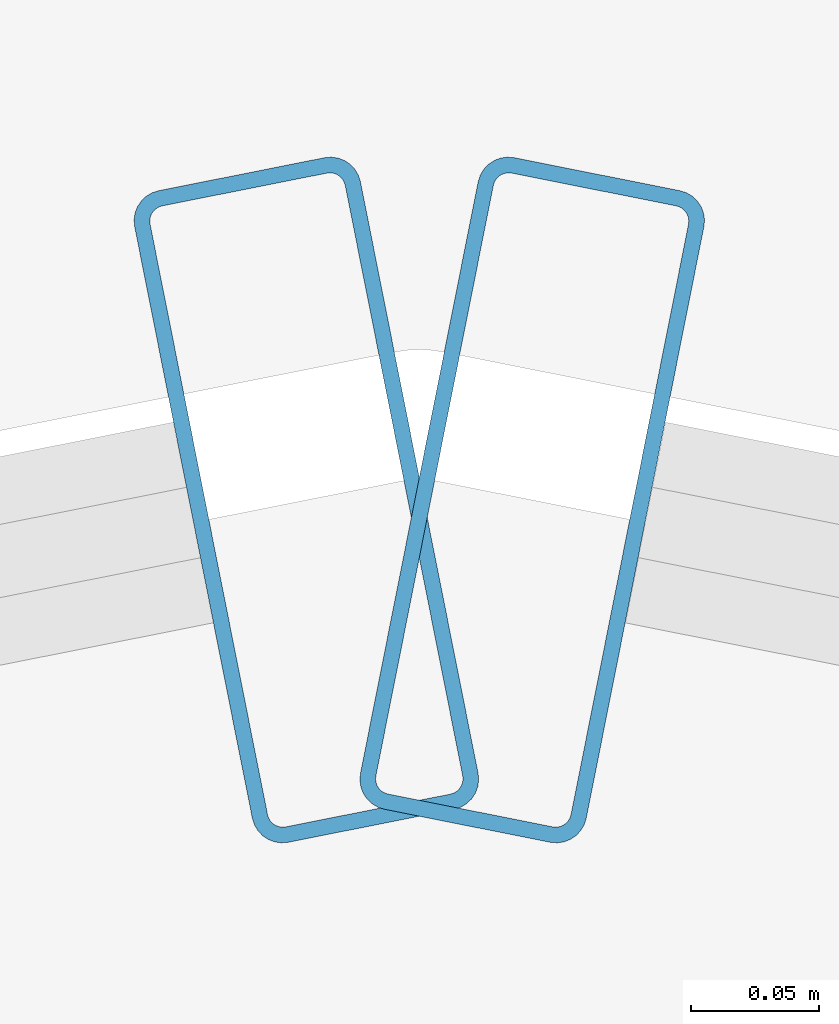
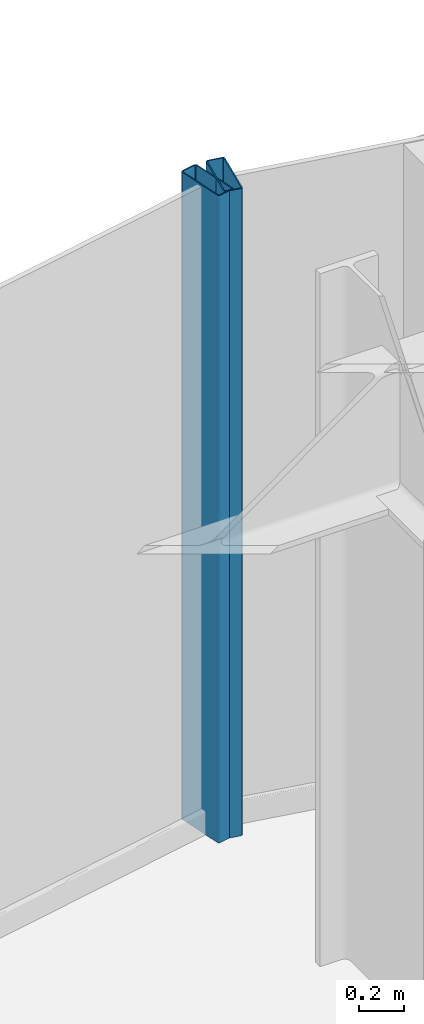
# One storey, part 16 of 30: 2 members, 2 elements without a shape of their own.
"""IFC4 building model written with IfcOpenShell, lengths in metres."""

from ifc_helpers import new_model, si_unit, direction, frame, origin, origin_2d, place, context, subcontext, project, spatial, hollow_rectangle, extrude, source, transform, mapped, material, layer, layer_set, material_profile, profile_set, type_object, element, aggregate, save


model = new_model("IFC4")

# Units and contexts
model_context = context("Model", 3, precision=1e-05, world=origin(), true_north=direction((0.0, 1.0)))
body_context = subcontext(model_context, "Body", "Model", "MODEL_VIEW")
ifc_project = project(units=[si_unit("LENGTHUNIT", "METRE"), si_unit("AREAUNIT", "SQUARE_METRE"), si_unit("VOLUMEUNIT", "CUBIC_METRE"), si_unit("PLANEANGLEUNIT", "RADIAN"), si_unit("MASSUNIT", "GRAM", prefix="KILO")], contexts=[model_context])

# Site, building, storey
site_placement = place(None, origin())
site = spatial("IfcSite", under=ifc_project, at=site_placement, CompositionType="ELEMENT")
building_placement = place(site_placement, origin())
building = spatial("IfcBuilding", under=site, at=building_placement, Name="Nefas-Gora Pilgrimage Tower", CompositionType="ELEMENT")
storey_placement = place(building_placement, frame((0.0, 0.0, 33.0)))
storey = spatial("IfcBuildingStorey", under=building, at=storey_placement, Name="L06", CompositionType="ELEMENT", Elevation=33.0)

# Curtain wall, member
ifc_material_1 = material(Name="Dark ceramic-fritted solar-control aluminium-glass curtain wall", Category="aluminium")
ifc_layer = layer(ifc_material_1, 0.219970703125)
ifc_layer_set = layer_set([ifc_layer], Name="Dark ceramic-fritted solar-control aluminium-glass curtain wall")
curtain_wall_type = type_object("IfcCurtainWallType", Name="CW-SYS-5", PredefinedType="NOTDEFINED", material=ifc_layer_set)
curtain_wall_1_placement = place(storey_placement, origin())
curtain_wall_1 = element("IfcCurtainWall", 1, at=curtain_wall_1_placement, inside=storey, type_object=curtain_wall_type, Name="L06 Unitised Curtain Wall CW5", PredefinedType="NOTDEFINED")
ifc_material_2 = material(Name="Anodised architectural aluminium", Category="aluminium")
ifc_material_profile = material_profile(ifc_material_2, hollow_rectangle(XDim=0.090087890625, YDim=0.260009765625, WallThickness=0.006103515625, InnerFilletRadius=0.006103515625, OuterFilletRadius=0.011962890625, at=origin_2d()), Name="ALU MULLION 90x260")
ifc_profile_set = profile_set([ifc_material_profile], Name="Anodised architectural aluminium")
member_type = type_object("IfcMemberType", Name="CWM-MUL-5", PredefinedType="MULLION", material=ifc_profile_set)
shared_shape = source(origin(), body_context, "Body", "SweptSolid", [
    extrude(hollow_rectangle(XDim=0.090087890625, YDim=0.260009765625, WallThickness=0.006103515625, InnerFilletRadius=0.006103515625, OuterFilletRadius=0.011962890625, at=origin_2d()), origin(), (0.0, 0.0, 1.0), 3.550048828125),
])
member_1_placement = place(storey_placement, frame((-2.205810546875, 24.16357421875, 0.0), z_axis=(0.0, 0.0, 1.0), x_axis=(-0.980782896852, 0.195102304554, 0.0)))
member_1 = element("IfcMember", 2, at=member_1_placement, type_object=member_type, Name="CW5 Mullion 2", PredefinedType="MULLION", context=body_context, shape_type="MappedRepresentation", body=[
    mapped(shared_shape, transform((0.0, 0.0, 0.0), x_axis=(1.0, 0.0, 0.0), y_axis=(0.0, 1.0, 0.0), z_axis=(0.0, 0.0, 1.0), scale=1.0)),
])
aggregate(curtain_wall_1, [member_1])

curtain_wall_2_placement = place(storey_placement, origin())
curtain_wall_2 = element("IfcCurtainWall", 3, at=curtain_wall_2_placement, inside=storey, type_object=curtain_wall_type, Name="L06 Unitised Curtain Wall CW5", PredefinedType="NOTDEFINED")
member_2_placement = place(storey_placement, frame((-2.294189453125, 24.16357421875, 0.0), z_axis=(0.0, 0.0, 1.0), x_axis=(-0.980782896852, -0.195102304554, 0.0)))
member_2 = element("IfcMember", 4, at=member_2_placement, type_object=member_type, Name="CW5 Mullion 1", PredefinedType="MULLION", context=body_context, shape_type="MappedRepresentation", body=[
    mapped(shared_shape, transform((0.0, 0.0, 0.0), x_axis=(1.0, 0.0, 0.0), y_axis=(0.0, 1.0, 0.0), z_axis=(0.0, 0.0, 1.0), scale=1.0)),
])
aggregate(curtain_wall_2, [member_2])

save(model, "model.ifc")
